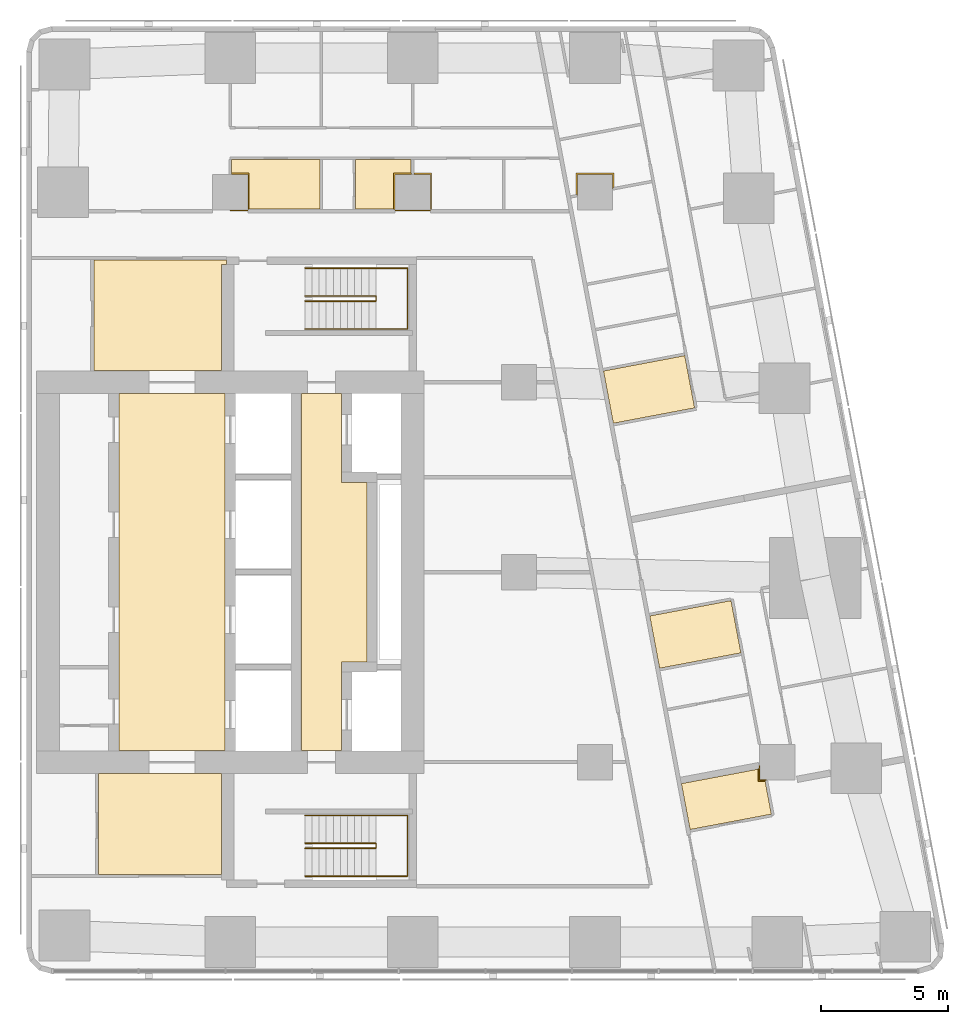
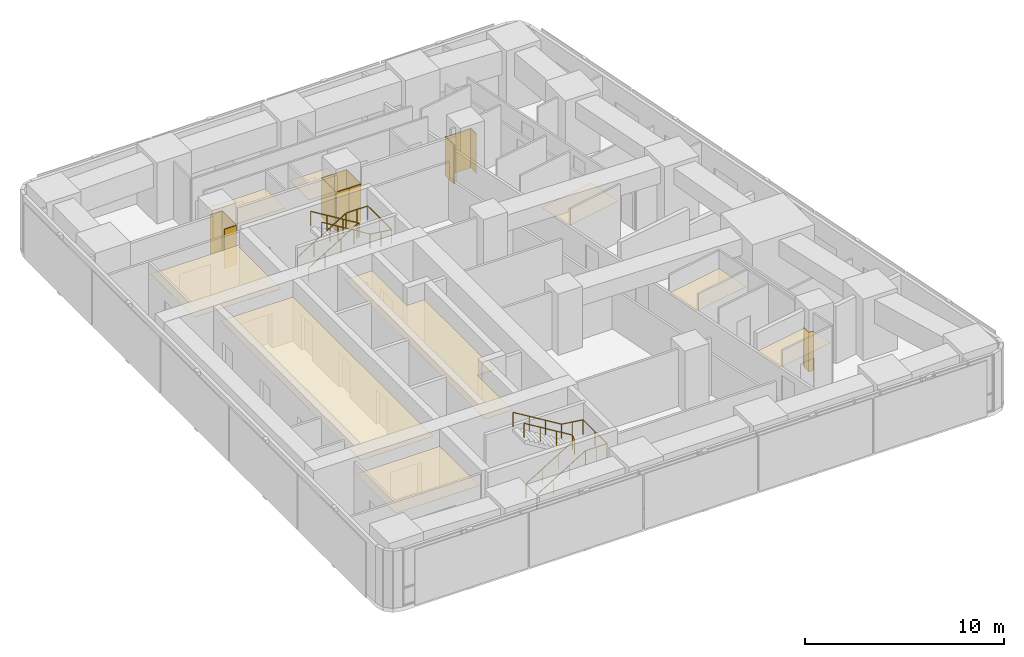
# One storey, part 11 of 11: 14 coverings, 4 railings.
"""IFC4 building model written with IfcOpenShell, lengths in metres."""

import ifcopenshell
import ifcopenshell.guid

model = None  # the IFC model being written
_history = None  # IfcOwnerHistory: only IFC2X3 demands one
_inside = {}  # id of a spatial element -> (the spatial element, [elements in it])
_under = {}  # id of a project, library or spatial element -> (it, [spatial elements below it])
_declared = {}  # id of a project -> (the project, [libraries it declares])
_typed = {}  # id of a type object -> (the type object, [elements of that type])
_made_of = {}  # id of a material, layer set ... -> (it, [elements and type objects made of it])


def new_model(schema):
    """Start an empty IFC model of exactly this schema.

    Asked for "IFC4X3", IfcOpenShell would pick the latest addendum, in which some entities
    have other attributes; the version numbers below select the first issue.
    IFC2X3 requires an IfcOwnerHistory on every rooted entity: one is made here for all.
    """
    global model, _history
    if schema == "IFC4X3":
        model = ifcopenshell.file(schema_version=(4, 3, 0, 0))
    else:
        model = ifcopenshell.file(schema=schema)
    _inside.clear()
    _under.clear()
    _declared.clear()
    _typed.clear()
    _made_of.clear()
    _history = None
    if model.schema == "IFC2X3":
        org = make("IfcOrganization", Name="unknown")
        user = make(
            "IfcPersonAndOrganization",
            ThePerson=make("IfcPerson", FamilyName="unknown"),
            TheOrganization=org,
        )
        app = make(
            "IfcApplication",
            ApplicationDeveloper=org,
            Version="unknown",
            ApplicationFullName="unknown",
            ApplicationIdentifier="unknown",
        )
        _history = make(
            "IfcOwnerHistory",
            OwningUser=user,
            OwningApplication=app,
            ChangeAction="ADDED",
            CreationDate=0,
        )
    return model


def make(cls, **values):
    """One entity of the class cls with the attributes given. An attribute that is None is left unset."""
    return model.create_entity(
        cls, **{name: value for name, value in values.items() if value is not None}
    )


def rooted(cls, **values):
    """An entity with a GlobalId (a new one), such as an element, a storey or a relation."""
    return make(cls, GlobalId=ifcopenshell.guid.new(), OwnerHistory=_history, **values)


def si_unit(unit_type, name, prefix=None):
    """IfcSIUnit, for example si_unit("LENGTHUNIT", "METRE", prefix="MILLI")."""
    return make("IfcSIUnit", UnitType=unit_type, Prefix=prefix, Name=name)


def assignment(units):
    """IfcUnitAssignment: the units of a project."""
    return None if units is None else make("IfcUnitAssignment", Units=units)


def point(xyz):
    """IfcCartesianPoint."""
    return None if xyz is None else make("IfcCartesianPoint", Coordinates=xyz)


def direction(xyz):
    """IfcDirection."""
    return None if xyz is None else make("IfcDirection", DirectionRatios=xyz)


def frame(location, z_axis=None, x_axis=None):
    """IfcAxis2Placement3D, a coordinate frame: its origin and axes. An axis left out is left unset."""
    return make(
        "IfcAxis2Placement3D",
        Location=point(location),
        Axis=direction(z_axis),
        RefDirection=direction(x_axis),
    )


def frame_2d(location, x_axis=None):
    """IfcAxis2Placement2D, a coordinate frame in the plane: its origin and x axis."""
    return make(
        "IfcAxis2Placement2D", Location=point(location), RefDirection=direction(x_axis)
    )


def origin():
    """The frame at (0, 0, 0) with its axes left unset."""
    return frame((0.0, 0.0, 0.0))


def origin_2d():
    """The frame at (0, 0) in the plane with its x axis left unset."""
    return frame_2d((0.0, 0.0))


def place(relative_to, where):
    """IfcLocalPlacement: puts the frame where relative to a parent placement (None: the world)."""
    return make(
        "IfcLocalPlacement", PlacementRelTo=relative_to, RelativePlacement=where
    )


def context(
    kind, dimensions, precision=None, world=None, true_north=None, identifier=None
):
    """IfcGeometricRepresentationContext, for example the 3D "Model" context."""
    return make(
        "IfcGeometricRepresentationContext",
        ContextIdentifier=identifier,
        ContextType=kind,
        CoordinateSpaceDimension=dimensions,
        Precision=precision,
        WorldCoordinateSystem=world,
        TrueNorth=true_north,
    )


def subcontext(parent, identifier, kind, view, scale=None):
    """IfcGeometricRepresentationSubContext, for example "Body" below "Model"."""
    return make(
        "IfcGeometricRepresentationSubContext",
        ContextIdentifier=identifier,
        ContextType=kind,
        ParentContext=parent,
        TargetScale=scale,
        TargetView=view,
    )


def project(units=None, contexts=None):
    """IfcProject with its units and contexts."""
    return rooted(
        "IfcProject",
        Name="project",
        RepresentationContexts=contexts,
        UnitsInContext=assignment(units),
    )


def spatial(cls, under=None, at=None, **own):
    """A site, building, storey or space (cls), placed at a placement, below another one or the project."""
    s = rooted(cls, ObjectPlacement=at, **own)
    if under is not None:
        _under.setdefault(under.id(), (under, []))[1].append(s)
    return s


def polyline(points):
    """IfcPolyline through the points."""
    return make("IfcPolyline", Points=[point(p) for p in points])


def profile(cls, at=None, kind="AREA", **sizes):
    """A parametric profile (cls). Its sizes go by their IFC names, for example OverallWidth=200.0."""
    return make(cls, ProfileType=kind, Position=at, **sizes)


def circle(**sizes):
    """IfcCircleProfileDef."""
    return profile("IfcCircleProfileDef", **sizes)


def outline(outer, holes=None, kind="AREA"):
    """IfcArbitraryClosedProfileDef: a profile drawn as a closed curve; with holes, ...WithVoids."""
    if holes is None:
        return make("IfcArbitraryClosedProfileDef", ProfileType=kind, OuterCurve=outer)
    return make(
        "IfcArbitraryProfileDefWithVoids",
        ProfileType=kind,
        OuterCurve=outer,
        InnerCurves=holes,
    )


def extrude(swept, where, along, depth):
    """IfcExtrudedAreaSolid: the profile swept, set in the frame where, extruded along a direction by depth."""
    return make(
        "IfcExtrudedAreaSolid",
        SweptArea=swept,
        Position=where,
        ExtrudedDirection=direction(along),
        Depth=depth,
    )


def shape(context_of_items, identifier, shape_type, items):
    """IfcShapeRepresentation: the items that make up one representation, for example the "Body"."""
    return make(
        "IfcShapeRepresentation",
        ContextOfItems=context_of_items,
        RepresentationIdentifier=identifier,
        RepresentationType=shape_type,
        Items=items,
    )


def material(Name=None, Category=None):
    """IfcMaterial."""
    return make("IfcMaterial", Name=Name, Category=Category)


def layer(
    of_material, thickness, ventilated=None, Name=None, Category=None, Priority=None
):
    """IfcMaterialLayer: one layer of a wall or slab, of a material (None: an air gap)."""
    return make(
        "IfcMaterialLayer",
        Material=of_material,
        LayerThickness=thickness,
        IsVentilated=ventilated,
        Name=Name,
        Category=Category,
        Priority=Priority,
    )


def layer_set(layers, Name=None):
    """IfcMaterialLayerSet."""
    return make("IfcMaterialLayerSet", MaterialLayers=layers, LayerSetName=Name)


def made_of(thing, what):
    """Note that an element or type object is made of a material, layer set ...; save() writes the relation."""
    if what is not None:
        _made_of.setdefault(what.id(), (what, []))[1].append(thing)
    return thing


def type_object(cls, material=None, **own):
    """A type object (cls), such as IfcWallType, which elements share."""
    return made_of(rooted(cls, **own), material)


def element(
    cls,
    number,
    at=None,
    inside=None,
    cuts=None,
    type_object=None,
    material=None,
    context=None,
    identifier="Body",
    shape_type=None,
    held_by="IfcProductDefinitionShape",
    body=None,
    shapes=None,
    **own,
):
    """One element of the class cls, such as IfcWall. Its Tag is "e" and its number.

    at: its placement. inside: the storey or other place that contains it. cuts: it is an
    opening in that element (IfcRelVoidsElement). A single representation is given by context,
    identifier, shape_type and body (its items); several are given by shapes. held_by: the class
    of the entity that holds the representations. save() writes the other relations.
    """
    e = rooted(cls, Tag="e%d" % number, ObjectPlacement=at, **own)
    if body is not None:
        shapes = [shape(context, identifier, shape_type, body)]
    if shapes is not None:
        e.Representation = make(held_by, Representations=shapes)
    if inside is not None:
        _inside.setdefault(inside.id(), (inside, []))[1].append(e)
    if cuts is not None:
        rooted(
            "IfcRelVoidsElement", RelatingBuildingElement=cuts, RelatedOpeningElement=e
        )
    if type_object is not None:
        _typed.setdefault(type_object.id(), (type_object, []))[1].append(e)
    return made_of(e, material)


def aggregate(whole, parts):
    """IfcRelAggregates: a whole, such as a stair, and the parts it consists of."""
    return rooted("IfcRelAggregates", RelatingObject=whole, RelatedObjects=parts)


def save(model, path):
    """Write the relations noted so far, then the file.

    IfcRelAggregates (storeys below a building ...), IfcRelContainedInSpatialStructure (elements
    in a storey), IfcRelDefinesByType, IfcRelAssociatesMaterial and IfcRelDeclares: one each for
    every whole, place, type object, material and project.
    """
    for whole, parts in _under.values():
        aggregate(whole, parts)
    for where, things in _inside.values():
        rooted(
            "IfcRelContainedInSpatialStructure",
            RelatedElements=things,
            RelatingStructure=where,
        )
    for kind, things in _typed.values():
        rooted("IfcRelDefinesByType", RelatedObjects=things, RelatingType=kind)
    for what, things in _made_of.values():
        rooted("IfcRelAssociatesMaterial", RelatedObjects=things, RelatingMaterial=what)
    for by, libraries in _declared.values():
        rooted("IfcRelDeclares", RelatingContext=by, RelatedDefinitions=libraries)
    model.write(path)


model = new_model("IFC4")

# Units and contexts
model_context = context("Model", 3, precision=1e-05, world=origin(), true_north=direction((0.0, 1.0)))
body_context = subcontext(model_context, "Body", "Model", "MODEL_VIEW")
ifc_project = project(units=[si_unit("LENGTHUNIT", "METRE"), si_unit("AREAUNIT", "SQUARE_METRE"), si_unit("VOLUMEUNIT", "CUBIC_METRE"), si_unit("PLANEANGLEUNIT", "RADIAN"), si_unit("MASSUNIT", "GRAM", prefix="KILO")], contexts=[model_context])

# Site, building, storey
site_placement = place(None, origin())
site = spatial("IfcSite", under=ifc_project, at=site_placement, CompositionType="ELEMENT")
building_placement = place(site_placement, origin())
building = spatial("IfcBuilding", under=site, at=building_placement, Name="Sheger Commons Tower", CompositionType="ELEMENT")
storey_placement = place(building_placement, frame((0.0, 0.0, 270.35009765625)))
storey = spatial("IfcBuildingStorey", under=building, at=storey_placement, Name="L69", CompositionType="ELEMENT", Elevation=270.35009765625)

# Railings
ifc_material_1 = material(Name="Steel handrail, black powder-coated", Category="steel")
railing_type = type_object("IfcRailingType", Name="HANDRAIL 900", PredefinedType="HANDRAIL", material=ifc_material_1)
railing_1_placement = place(storey_placement, frame((24.550048828125, 11.60009765625, 0.17041015625)))
element("IfcRailing", 1, at=railing_1_placement, inside=storey, type_object=railing_type, Name="Stair S1 handrail L69", PredefinedType="HANDRAIL", context=body_context, shape_type="SweptSolid", body=[
    extrude(circle(Radius=0.02392578125, at=origin_2d()), frame((0.0, 0.0, 0.8759765625), z_axis=(0.854169791009, 0.0, 0.51999420009), x_axis=(0.0, 1.0, 0.0)), (0.0, 0.0, 1.0), 3.278076171875),
    extrude(circle(Radius=0.02392578125, at=origin_2d()), frame((2.800048828125, 0.0, 2.58056640625), z_axis=(0.0, 0.761090297175, 0.648645943136), x_axis=(-1.0, 0.0, 0.0)), (0.0, 0.0, 1.0), 0.2626953125),
    extrude(circle(Radius=0.02392578125, at=origin_2d()), frame((2.800048828125, 0.199951171875, 2.7509765625), z_axis=(-0.854169791009, 0.0, 0.51999420009), x_axis=(0.0, -1.0, 0.0)), (0.0, 0.0, 1.0), 3.278076171875),
    extrude(circle(Radius=0.02099609375, at=origin_2d()), origin(), (0.0, 0.0, 1.0), 0.851806640625),
    extrude(circle(Radius=0.02099609375, at=origin_2d()), frame((0.933349609375, 0.0, 0.568115234375)), (0.0, 0.0, 1.0), 0.851806640625),
    extrude(circle(Radius=0.02099609375, at=origin_2d()), frame((1.86669921875, 0.0, 1.136474609375)), (0.0, 0.0, 1.0), 0.851806640625),
    extrude(circle(Radius=0.02099609375, at=origin_2d()), frame((2.800048828125, 0.0, 1.70458984375)), (0.0, 0.0, 1.0), 0.851806640625),
    extrude(circle(Radius=0.02099609375, at=origin_2d()), frame((2.800048828125, 0.199951171875, 1.875)), (0.0, 0.0, 1.0), 0.851806640625),
    extrude(circle(Radius=0.02099609375, at=origin_2d()), frame((1.86669921875, 0.199951171875, 2.443115234375)), (0.0, 0.0, 1.0), 0.851806640625),
    extrude(circle(Radius=0.02099609375, at=origin_2d()), frame((0.933349609375, 0.199951171875, 3.011474609375)), (0.0, 0.0, 1.0), 0.851806640625),
    extrude(circle(Radius=0.02099609375, at=origin_2d()), frame((0.0, 0.199951171875, 3.57958984375)), (0.0, 0.0, 1.0), 0.851806640625),
])
railing_2_placement = place(storey_placement, frame((24.550048828125, 10.5, 0.17041015625)))
element("IfcRailing", 2, at=railing_2_placement, inside=storey, type_object=railing_type, Name="Stair S1 handrail L69", PredefinedType="HANDRAIL", context=body_context, shape_type="SweptSolid", body=[
    extrude(circle(Radius=0.02392578125, at=origin_2d()), frame((0.0, 0.0, 0.8759765625), z_axis=(0.854169791009, 0.0, 0.51999420009), x_axis=(0.0, 1.0, 0.0)), (0.0, 0.0, 1.0), 3.278076171875),
    extrude(circle(Radius=0.02392578125, at=origin_2d()), frame((2.800048828125, 0.0, 2.58056640625), z_axis=(1.0, 0.0, 0.0), x_axis=(0.0, 1.0, 0.0)), (0.0, 0.0, 1.0), 1.25),
    extrude(circle(Radius=0.02392578125, at=origin_2d()), frame((4.050048828125, 0.0, 2.58056640625), z_axis=(0.0, 1.0, 0.0), x_axis=(-1.0, 0.0, 0.0)), (0.0, 0.0, 1.0), 2.39990234375),
    extrude(circle(Radius=0.02392578125, at=origin_2d()), frame((4.050048828125, 2.39990234375, 2.58056640625), z_axis=(-0.990834877927, 0.0, 0.135078661092), x_axis=(0.0, -1.0, 0.0)), (0.0, 0.0, 1.0), 1.261474609375),
    extrude(circle(Radius=0.02392578125, at=origin_2d()), frame((2.800048828125, 2.39990234375, 2.7509765625), z_axis=(-0.854169791009, 0.0, 0.51999420009), x_axis=(0.0, -1.0, 0.0)), (0.0, 0.0, 1.0), 3.278076171875),
    extrude(circle(Radius=0.02099609375, at=origin_2d()), origin(), (0.0, 0.0, 1.0), 0.851806640625),
    extrude(circle(Radius=0.02099609375, at=origin_2d()), frame((0.933349609375, 0.0, 0.568115234375)), (0.0, 0.0, 1.0), 0.851806640625),
    extrude(circle(Radius=0.02099609375, at=origin_2d()), frame((1.86669921875, 0.0, 1.136474609375)), (0.0, 0.0, 1.0), 0.851806640625),
    extrude(circle(Radius=0.02099609375, at=origin_2d()), frame((2.800048828125, 0.0, 1.70458984375)), (0.0, 0.0, 1.0), 0.851806640625),
    extrude(circle(Radius=0.02099609375, at=origin_2d()), frame((3.425048828125, 0.0, 1.70458984375)), (0.0, 0.0, 1.0), 0.851806640625),
    extrude(circle(Radius=0.02099609375, at=origin_2d()), frame((4.050048828125, 0.0, 1.70458984375)), (0.0, 0.0, 1.0), 0.851806640625),
    extrude(circle(Radius=0.02099609375, at=origin_2d()), frame((4.050048828125, 1.199951171875, 1.70458984375)), (0.0, 0.0, 1.0), 0.851806640625),
    extrude(circle(Radius=0.02099609375, at=origin_2d()), frame((4.050048828125, 2.39990234375, 1.70458984375)), (0.0, 0.0, 1.0), 0.851806640625),
    extrude(circle(Radius=0.02099609375, at=origin_2d()), frame((3.425048828125, 2.39990234375, 1.789794921875)), (0.0, 0.0, 1.0), 0.851806640625),
    extrude(circle(Radius=0.02099609375, at=origin_2d()), frame((2.800048828125, 2.39990234375, 1.875)), (0.0, 0.0, 1.0), 0.851806640625),
    extrude(circle(Radius=0.02099609375, at=origin_2d()), frame((1.86669921875, 2.39990234375, 2.443115234375)), (0.0, 0.0, 1.0), 0.851806640625),
    extrude(circle(Radius=0.02099609375, at=origin_2d()), frame((0.933349609375, 2.39990234375, 3.011474609375)), (0.0, 0.0, 1.0), 0.851806640625),
    extrude(circle(Radius=0.02099609375, at=origin_2d()), frame((0.0, 2.39990234375, 3.57958984375)), (0.0, 0.0, 1.0), 0.851806640625),
])
railing_3_placement = place(storey_placement, frame((24.550048828125, 33.39990234375, 0.17041015625)))
element("IfcRailing", 3, at=railing_3_placement, inside=storey, type_object=railing_type, Name="Stair S2 handrail L69", PredefinedType="HANDRAIL", context=body_context, shape_type="SweptSolid", body=[
    extrude(circle(Radius=0.02392578125, at=origin_2d()), frame((0.0, 0.0, 0.8759765625), z_axis=(0.854169791009, 0.0, 0.51999420009), x_axis=(0.0, 1.0, 0.0)), (0.0, 0.0, 1.0), 3.278076171875),
    extrude(circle(Radius=0.02392578125, at=origin_2d()), frame((2.800048828125, 0.0, 2.58056640625), z_axis=(0.0, -0.761090297175, 0.648645943136), x_axis=(1.0, 0.0, 0.0)), (0.0, 0.0, 1.0), 0.2626953125),
    extrude(circle(Radius=0.02392578125, at=origin_2d()), frame((2.800048828125, -0.199951171875, 2.7509765625), z_axis=(-0.854169791009, 0.0, 0.51999420009), x_axis=(0.0, -1.0, 0.0)), (0.0, 0.0, 1.0), 3.278076171875),
    extrude(circle(Radius=0.02099609375, at=origin_2d()), origin(), (0.0, 0.0, 1.0), 0.851806640625),
    extrude(circle(Radius=0.02099609375, at=origin_2d()), frame((0.933349609375, 0.0, 0.568115234375)), (0.0, 0.0, 1.0), 0.851806640625),
    extrude(circle(Radius=0.02099609375, at=origin_2d()), frame((1.86669921875, 0.0, 1.136474609375)), (0.0, 0.0, 1.0), 0.851806640625),
    extrude(circle(Radius=0.02099609375, at=origin_2d()), frame((2.800048828125, 0.0, 1.70458984375)), (0.0, 0.0, 1.0), 0.851806640625),
    extrude(circle(Radius=0.02099609375, at=origin_2d()), frame((2.800048828125, -0.199951171875, 1.875)), (0.0, 0.0, 1.0), 0.851806640625),
    extrude(circle(Radius=0.02099609375, at=origin_2d()), frame((1.86669921875, -0.199951171875, 2.443115234375)), (0.0, 0.0, 1.0), 0.851806640625),
    extrude(circle(Radius=0.02099609375, at=origin_2d()), frame((0.933349609375, -0.199951171875, 3.011474609375)), (0.0, 0.0, 1.0), 0.851806640625),
    extrude(circle(Radius=0.02099609375, at=origin_2d()), frame((0.0, -0.199951171875, 3.57958984375)), (0.0, 0.0, 1.0), 0.851806640625),
])
railing_4_placement = place(storey_placement, frame((24.550048828125, 34.5, 0.17041015625)))
element("IfcRailing", 4, at=railing_4_placement, inside=storey, type_object=railing_type, Name="Stair S2 handrail L69", PredefinedType="HANDRAIL", context=body_context, shape_type="SweptSolid", body=[
    extrude(circle(Radius=0.02392578125, at=origin_2d()), frame((0.0, 0.0, 0.8759765625), z_axis=(0.854169791009, 0.0, 0.51999420009), x_axis=(0.0, 1.0, 0.0)), (0.0, 0.0, 1.0), 3.278076171875),
    extrude(circle(Radius=0.02392578125, at=origin_2d()), frame((2.800048828125, 0.0, 2.58056640625), z_axis=(1.0, 0.0, 0.0), x_axis=(0.0, 1.0, 0.0)), (0.0, 0.0, 1.0), 1.25),
    extrude(circle(Radius=0.02392578125, at=origin_2d()), frame((4.050048828125, 0.0, 2.58056640625), z_axis=(0.0, -1.0, 0.0), x_axis=(1.0, 0.0, 0.0)), (0.0, 0.0, 1.0), 2.39990234375),
    extrude(circle(Radius=0.02392578125, at=origin_2d()), frame((4.050048828125, -2.39990234375, 2.58056640625), z_axis=(-0.990834877927, 0.0, 0.135078661092), x_axis=(0.0, -1.0, 0.0)), (0.0, 0.0, 1.0), 1.261474609375),
    extrude(circle(Radius=0.02392578125, at=origin_2d()), frame((2.800048828125, -2.39990234375, 2.7509765625), z_axis=(-0.854169791009, 0.0, 0.51999420009), x_axis=(0.0, -1.0, 0.0)), (0.0, 0.0, 1.0), 3.278076171875),
    extrude(circle(Radius=0.02099609375, at=origin_2d()), origin(), (0.0, 0.0, 1.0), 0.851806640625),
    extrude(circle(Radius=0.02099609375, at=origin_2d()), frame((0.933349609375, 0.0, 0.568115234375)), (0.0, 0.0, 1.0), 0.851806640625),
    extrude(circle(Radius=0.02099609375, at=origin_2d()), frame((1.86669921875, 0.0, 1.136474609375)), (0.0, 0.0, 1.0), 0.851806640625),
    extrude(circle(Radius=0.02099609375, at=origin_2d()), frame((2.800048828125, 0.0, 1.70458984375)), (0.0, 0.0, 1.0), 0.851806640625),
    extrude(circle(Radius=0.02099609375, at=origin_2d()), frame((3.425048828125, 0.0, 1.70458984375)), (0.0, 0.0, 1.0), 0.851806640625),
    extrude(circle(Radius=0.02099609375, at=origin_2d()), frame((4.050048828125, 0.0, 1.70458984375)), (0.0, 0.0, 1.0), 0.851806640625),
    extrude(circle(Radius=0.02099609375, at=origin_2d()), frame((4.050048828125, -1.199951171875, 1.70458984375)), (0.0, 0.0, 1.0), 0.851806640625),
    extrude(circle(Radius=0.02099609375, at=origin_2d()), frame((4.050048828125, -2.39990234375, 1.70458984375)), (0.0, 0.0, 1.0), 0.851806640625),
    extrude(circle(Radius=0.02099609375, at=origin_2d()), frame((3.425048828125, -2.39990234375, 1.789794921875)), (0.0, 0.0, 1.0), 0.851806640625),
    extrude(circle(Radius=0.02099609375, at=origin_2d()), frame((2.800048828125, -2.39990234375, 1.875)), (0.0, 0.0, 1.0), 0.851806640625),
    extrude(circle(Radius=0.02099609375, at=origin_2d()), frame((1.86669921875, -2.39990234375, 2.443115234375)), (0.0, 0.0, 1.0), 0.851806640625),
    extrude(circle(Radius=0.02099609375, at=origin_2d()), frame((0.933349609375, -2.39990234375, 3.011474609375)), (0.0, 0.0, 1.0), 0.851806640625),
    extrude(circle(Radius=0.02099609375, at=origin_2d()), frame((0.0, -2.39990234375, 3.57958984375)), (0.0, 0.0, 1.0), 0.851806640625),
])

# Coverings
ifc_material_2 = material(Name="Moisture-resistant gypsum plasterboard 15 mm on a suspended galvanised steel grid", Category="steel")
ifc_layer_1 = layer(ifc_material_2, 0.014892578125)
ifc_layer_set_1 = layer_set([ifc_layer_1], Name="MOISTURE-RESISTANT CEILING 15")
covering_type_1 = type_object("IfcCoveringType", Name="MOISTURE-RESISTANT CEILING 15", PredefinedType="CEILING", material=ifc_layer_set_1)
covering_1_placement = place(storey_placement, frame((0.0, 0.0, 2.39990234375)))
element("IfcCovering", 5, at=covering_1_placement, inside=storey, type_object=covering_type_1, Name="L69-01.B1 ceiling", PredefinedType="CEILING", context=body_context, shape_type="SweptSolid", body=[
    extrude(outline(polyline([(36.72509765625, 28.37890625), (39.93310546875, 28.986083984375), (39.54296875, 31.049072265625), (36.3349609375, 30.443115234375), (36.72509765625, 28.37890625)])), origin(), (0.0, 0.0, 1.0), 0.014892578125),
])
covering_2_placement = place(storey_placement, frame((0.0, 0.0, 2.39990234375)))
element("IfcCovering", 6, at=covering_2_placement, inside=storey, type_object=covering_type_1, Name="L69-02.B1 ceiling", PredefinedType="CEILING", context=body_context, shape_type="SweptSolid", body=[
    extrude(outline(polyline([(38.552001953125, 18.7080078125), (41.760009765625, 19.31396484375), (41.3701171875, 21.3779296875), (38.162109375, 20.77197265625), (38.552001953125, 18.7080078125)])), origin(), (0.0, 0.0, 1.0), 0.014892578125),
])
covering_3_placement = place(storey_placement, frame((0.0, 0.0, 2.39990234375)))
element("IfcCovering", 7, at=covering_3_placement, inside=storey, type_object=covering_type_1, Name="L69-03.B1 ceiling", PredefinedType="CEILING", context=body_context, shape_type="SweptSolid", body=[
    extrude(outline(polyline([(39.7548828125, 12.340087890625), (42.962890625, 12.946044921875), (42.7099609375, 14.284912109375), (42.7529296875, 14.29296875), (42.7529296875, 14.294921875), (42.4951171875, 14.294921875), (42.4951171875, 14.73388671875), (39.412109375, 14.152099609375), (39.7548828125, 12.340087890625)])), origin(), (0.0, 0.0, 1.0), 0.014892578125),
])
covering_4_placement = place(storey_placement, frame((0.0, 0.0, 2.39990234375)))
element("IfcCovering", 8, at=covering_4_placement, inside=storey, type_object=covering_type_1, Name="L69-04.B1 ceiling", PredefinedType="CEILING", context=body_context, shape_type="SweptSolid", body=[
    extrude(outline(polyline([(22.304931640625, 36.830078125), (25.14501953125, 36.830078125), (25.14501953125, 38.794921875), (21.655029296875, 38.794921875), (21.655029296875, 38.205078125), (22.304931640625, 38.205078125), (22.304931640625, 36.830078125)])), origin(), (0.0, 0.0, 1.0), 0.014892578125),
])
covering_5_placement = place(storey_placement, frame((0.0, 0.0, 2.39990234375)))
element("IfcCovering", 9, at=covering_5_placement, inside=storey, type_object=covering_type_1, Name="L69-04.B2 ceiling", PredefinedType="CEILING", context=body_context, shape_type="SweptSolid", body=[
    extrude(outline(polyline([(26.554931640625, 36.830078125), (28.094970703125, 36.830078125), (28.094970703125, 38.205078125), (28.7451171875, 38.205078125), (28.7451171875, 38.794921875), (26.554931640625, 38.794921875), (26.554931640625, 36.830078125)])), origin(), (0.0, 0.0, 1.0), 0.014892578125),
])
ifc_material_3 = material(Name="Gypsum plasterboard 15 mm on a suspended steel grid", Category="steel")
ifc_layer_2 = layer(ifc_material_3, 0.014892578125)
ifc_layer_set_2 = layer_set([ifc_layer_2], Name="SUSPENDED CEILING 15")
covering_type_2 = type_object("IfcCoveringType", Name="SUSPENDED CEILING 15", PredefinedType="CEILING", material=ifc_layer_set_2)
covering_6_placement = place(storey_placement, frame((0.0, 0.0, 2.699951171875)))
element("IfcCovering", 10, at=covering_6_placement, inside=storey, type_object=covering_type_2, Name="L69-SVS1 ceiling", PredefinedType="CEILING", context=body_context, shape_type="SweptSolid", body=[
    extrude(outline(polyline([(16.406982421875, 10.568115234375), (21.2451171875, 10.568115234375), (21.2451171875, 14.544921875), (16.406982421875, 14.544921875), (16.406982421875, 10.568115234375)])), origin(), (0.0, 0.0, 1.0), 0.014892578125),
])
covering_7_placement = place(storey_placement, frame((0.0, 0.0, 2.699951171875)))
element("IfcCovering", 11, at=covering_7_placement, inside=storey, type_object=covering_type_2, Name="L69-SVN1 ceiling", PredefinedType="CEILING", context=body_context, shape_type="SweptSolid", body=[
    extrude(outline(polyline([(16.217041015625, 30.455078125), (21.2451171875, 30.455078125), (21.2451171875, 34.655029296875), (21.445068359375, 34.655029296875), (21.445068359375, 34.83203125), (16.217041015625, 34.83203125), (16.217041015625, 30.455078125)])), origin(), (0.0, 0.0, 1.0), 0.014892578125),
])
covering_8_placement = place(storey_placement, frame((0.0, 0.0, 2.699951171875)))
element("IfcCovering", 12, at=covering_8_placement, inside=storey, type_object=covering_type_2, Name="L69-LL ceiling", PredefinedType="CEILING", context=body_context, shape_type="SweptSolid", body=[
    extrude(outline(polyline([(17.205078125, 15.455078125), (21.39990234375, 15.455078125), (21.39990234375, 29.544921875), (17.205078125, 29.544921875), (17.205078125, 15.455078125)])), origin(), (0.0, 0.0, 1.0), 0.014892578125),
])
covering_9_placement = place(storey_placement, frame((0.0, 0.0, 2.699951171875)))
element("IfcCovering", 13, at=covering_9_placement, inside=storey, type_object=covering_type_2, Name="L69-FL ceiling", PredefinedType="CEILING", context=body_context, shape_type="SweptSolid", body=[
    extrude(outline(polyline([(24.405029296875, 15.455078125), (25.9951171875, 15.455078125), (25.9951171875, 18.955078125), (26.9951171875, 18.955078125), (26.9951171875, 26.044921875), (25.9951171875, 26.044921875), (25.9951171875, 29.544921875), (24.405029296875, 29.544921875), (24.405029296875, 15.455078125)])), origin(), (0.0, 0.0, 1.0), 0.014892578125),
])
ifc_material_4 = material(Name="Moisture-resistant gypsum board 12.5 mm on 25 mm treated timber battens, tanked and tiled", Category="wood")
ifc_layer_3 = layer(ifc_material_4, 0.050048828125)
ifc_layer_set_3 = layer_set([ifc_layer_3], Name="WET-ROOM COLUMN LINING")
covering_type_3 = type_object("IfcCoveringType", Name="WET-ROOM COLUMN LINING", PredefinedType="CLADDING", material=ifc_layer_set_3)
covering_10_placement = place(storey_placement, origin())
element("IfcCovering", 14, at=covering_10_placement, inside=storey, type_object=covering_type_3, Name="Shower room column lining C11 L69", PredefinedType="CLADDING", context=body_context, shape_type="SweptSolid", body=[
    extrude(outline(polyline([(42.5, 14.866943359375), (42.5, 14.300048828125), (42.762939453125, 14.300048828125), (42.764892578125, 14.2900390625), (42.716064453125, 14.281005859375), (42.721923828125, 14.25), (42.449951171875, 14.25), (42.449951171875, 14.73095703125), (42.4990234375, 14.739990234375), (42.47607421875, 14.862060546875), (42.5, 14.866943359375)])), origin(), (0.0, 0.0, 1.0), 2.39990234375),
])
covering_11_placement = place(storey_placement, origin())
element("IfcCovering", 15, at=covering_11_placement, inside=storey, type_object=covering_type_3, Name="Bathroom column lining C11 L69", PredefinedType="CLADDING", context=body_context, shape_type="SweptSolid", body=[
    extrude(outline(polyline([(22.35009765625, 36.824951171875), (22.301025390625, 36.824951171875), (22.301025390625, 36.75), (21.60009765625, 36.75), (21.60009765625, 36.800048828125), (22.300048828125, 36.800048828125), (22.300048828125, 38.199951171875), (21.60009765625, 38.199951171875), (21.60009765625, 38.200927734375), (21.64990234375, 38.200927734375), (21.64990234375, 38.25), (22.35009765625, 38.25), (22.35009765625, 36.824951171875)])), origin(), (0.0, 0.0, 1.0), 2.39990234375),
])
covering_12_placement = place(storey_placement, origin())
element("IfcCovering", 16, at=covering_12_placement, inside=storey, type_object=covering_type_3, Name="Shower room column lining C11 L69", PredefinedType="CLADDING", context=body_context, shape_type="SweptSolid", body=[
    extrude(outline(polyline([(28.75, 38.25), (28.75, 38.200927734375), (28.800048828125, 38.200927734375), (28.800048828125, 38.199951171875), (28.10009765625, 38.199951171875), (28.10009765625, 36.800048828125), (28.800048828125, 36.800048828125), (28.800048828125, 36.75), (28.09912109375, 36.75), (28.09912109375, 36.824951171875), (28.050048828125, 36.824951171875), (28.050048828125, 38.25), (28.75, 38.25)])), origin(), (0.0, 0.0, 1.0), 2.39990234375),
])
covering_13_placement = place(storey_placement, origin())
element("IfcCovering", 17, at=covering_13_placement, inside=storey, type_object=covering_type_3, Name="Laundry room column lining C11 L69", PredefinedType="CLADDING", context=body_context, shape_type="SweptSolid", body=[
    extrude(outline(polyline([(29.550048828125, 36.824951171875), (29.5009765625, 36.824951171875), (29.5009765625, 36.75), (28.800048828125, 36.75), (28.800048828125, 36.800048828125), (29.5, 36.800048828125), (29.5, 38.199951171875), (28.800048828125, 38.199951171875), (28.800048828125, 38.200927734375), (28.85009765625, 38.200927734375), (28.85009765625, 38.25), (29.550048828125, 38.25), (29.550048828125, 36.824951171875)])), origin(), (0.0, 0.0, 1.0), 2.39990234375),
])
covering_14_placement = place(storey_placement, origin())
element("IfcCovering", 18, at=covering_14_placement, inside=storey, type_object=covering_type_3, Name="Laundry room column lining C11 L69", PredefinedType="CLADDING", context=body_context, shape_type="SweptSolid", body=[
    extrude(outline(polyline([(36.75, 38.25), (36.75, 37.69189453125), (36.700927734375, 37.68310546875), (36.7099609375, 37.635009765625), (36.699951171875, 37.633056640625), (36.699951171875, 38.199951171875), (35.300048828125, 38.199951171875), (35.300048828125, 37.367919921875), (35.2900390625, 37.365966796875), (35.281005859375, 37.4150390625), (35.25, 37.408935546875), (35.25, 38.25), (36.75, 38.25)])), origin(), (0.0, 0.0, 1.0), 2.39990234375),
])

save(model, "model.ifc")
